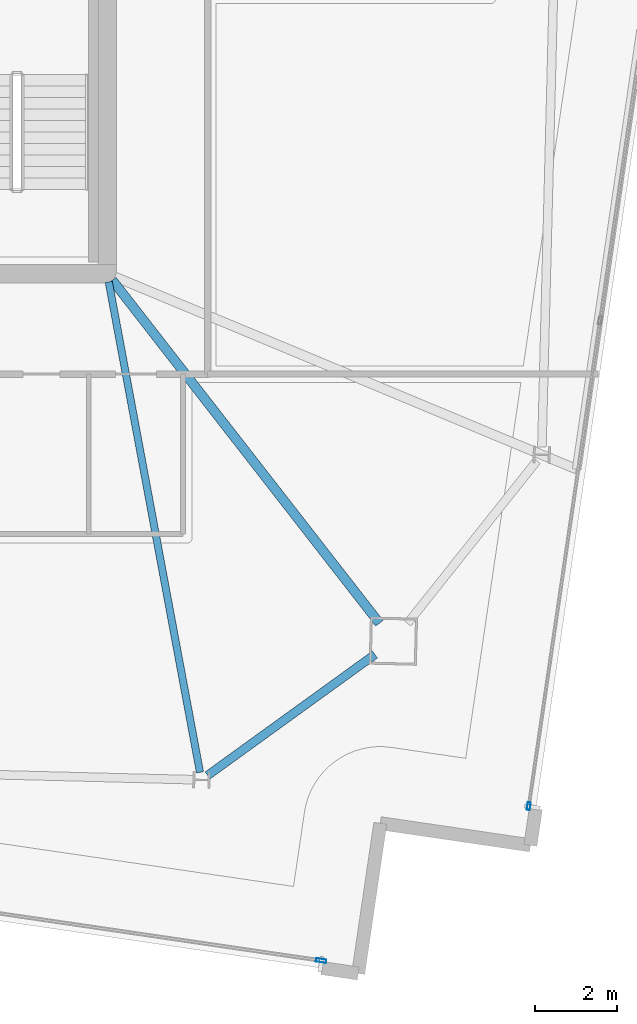
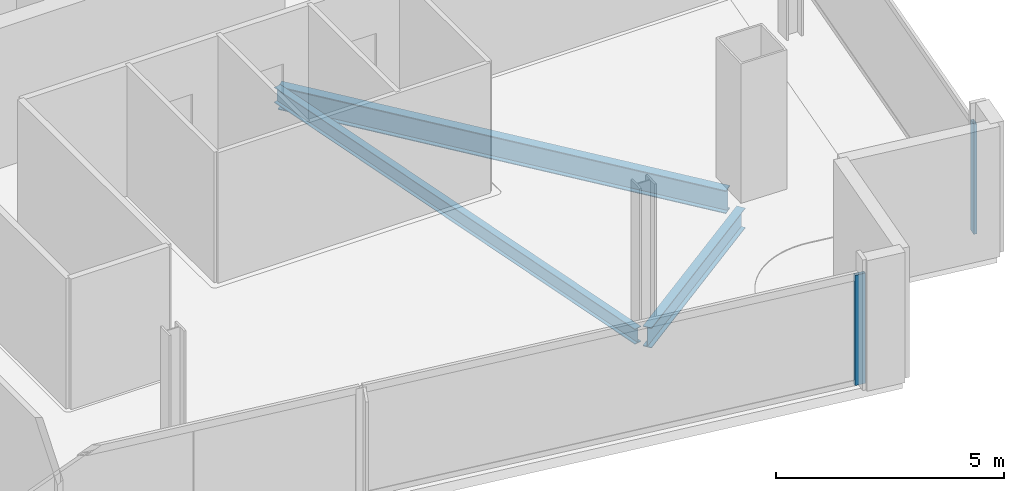
# One storey, part 7 of 22: 3 beams, 2 members, 2 elements without a shape of their own.
"""IFC4 building model written with IfcOpenShell, lengths in metres."""

import ifcopenshell
import ifcopenshell.guid

model = None  # the IFC model being written
_history = None  # IfcOwnerHistory: only IFC2X3 demands one
_inside = {}  # id of a spatial element -> (the spatial element, [elements in it])
_under = {}  # id of a project, library or spatial element -> (it, [spatial elements below it])
_declared = {}  # id of a project -> (the project, [libraries it declares])
_typed = {}  # id of a type object -> (the type object, [elements of that type])
_made_of = {}  # id of a material, layer set ... -> (it, [elements and type objects made of it])


def new_model(schema):
    """Start an empty IFC model of exactly this schema.

    Asked for "IFC4X3", IfcOpenShell would pick the latest addendum, in which some entities
    have other attributes; the version numbers below select the first issue.
    IFC2X3 requires an IfcOwnerHistory on every rooted entity: one is made here for all.
    """
    global model, _history
    if schema == "IFC4X3":
        model = ifcopenshell.file(schema_version=(4, 3, 0, 0))
    else:
        model = ifcopenshell.file(schema=schema)
    _inside.clear()
    _under.clear()
    _declared.clear()
    _typed.clear()
    _made_of.clear()
    _history = None
    if model.schema == "IFC2X3":
        org = make("IfcOrganization", Name="unknown")
        user = make(
            "IfcPersonAndOrganization",
            ThePerson=make("IfcPerson", FamilyName="unknown"),
            TheOrganization=org,
        )
        app = make(
            "IfcApplication",
            ApplicationDeveloper=org,
            Version="unknown",
            ApplicationFullName="unknown",
            ApplicationIdentifier="unknown",
        )
        _history = make(
            "IfcOwnerHistory",
            OwningUser=user,
            OwningApplication=app,
            ChangeAction="ADDED",
            CreationDate=0,
        )
    return model


def make(cls, **values):
    """One entity of the class cls with the attributes given. An attribute that is None is left unset."""
    return model.create_entity(
        cls, **{name: value for name, value in values.items() if value is not None}
    )


def rooted(cls, **values):
    """An entity with a GlobalId (a new one), such as an element, a storey or a relation."""
    return make(cls, GlobalId=ifcopenshell.guid.new(), OwnerHistory=_history, **values)


def si_unit(unit_type, name, prefix=None):
    """IfcSIUnit, for example si_unit("LENGTHUNIT", "METRE", prefix="MILLI")."""
    return make("IfcSIUnit", UnitType=unit_type, Prefix=prefix, Name=name)


def assignment(units):
    """IfcUnitAssignment: the units of a project."""
    return None if units is None else make("IfcUnitAssignment", Units=units)


def point(xyz):
    """IfcCartesianPoint."""
    return None if xyz is None else make("IfcCartesianPoint", Coordinates=xyz)


def direction(xyz):
    """IfcDirection."""
    return None if xyz is None else make("IfcDirection", DirectionRatios=xyz)


def frame(location, z_axis=None, x_axis=None):
    """IfcAxis2Placement3D, a coordinate frame: its origin and axes. An axis left out is left unset."""
    return make(
        "IfcAxis2Placement3D",
        Location=point(location),
        Axis=direction(z_axis),
        RefDirection=direction(x_axis),
    )


def frame_2d(location, x_axis=None):
    """IfcAxis2Placement2D, a coordinate frame in the plane: its origin and x axis."""
    return make(
        "IfcAxis2Placement2D", Location=point(location), RefDirection=direction(x_axis)
    )


def origin():
    """The frame at (0, 0, 0) with its axes left unset."""
    return frame((0.0, 0.0, 0.0))


def origin_2d():
    """The frame at (0, 0) in the plane with its x axis left unset."""
    return frame_2d((0.0, 0.0))


def place(relative_to, where):
    """IfcLocalPlacement: puts the frame where relative to a parent placement (None: the world)."""
    return make(
        "IfcLocalPlacement", PlacementRelTo=relative_to, RelativePlacement=where
    )


def context(
    kind, dimensions, precision=None, world=None, true_north=None, identifier=None
):
    """IfcGeometricRepresentationContext, for example the 3D "Model" context."""
    return make(
        "IfcGeometricRepresentationContext",
        ContextIdentifier=identifier,
        ContextType=kind,
        CoordinateSpaceDimension=dimensions,
        Precision=precision,
        WorldCoordinateSystem=world,
        TrueNorth=true_north,
    )


def subcontext(parent, identifier, kind, view, scale=None):
    """IfcGeometricRepresentationSubContext, for example "Body" below "Model"."""
    return make(
        "IfcGeometricRepresentationSubContext",
        ContextIdentifier=identifier,
        ContextType=kind,
        ParentContext=parent,
        TargetScale=scale,
        TargetView=view,
    )


def project(units=None, contexts=None):
    """IfcProject with its units and contexts."""
    return rooted(
        "IfcProject",
        Name="project",
        RepresentationContexts=contexts,
        UnitsInContext=assignment(units),
    )


def spatial(cls, under=None, at=None, **own):
    """A site, building, storey or space (cls), placed at a placement, below another one or the project."""
    s = rooted(cls, ObjectPlacement=at, **own)
    if under is not None:
        _under.setdefault(under.id(), (under, []))[1].append(s)
    return s


def profile(cls, at=None, kind="AREA", **sizes):
    """A parametric profile (cls). Its sizes go by their IFC names, for example OverallWidth=200.0."""
    return make(cls, ProfileType=kind, Position=at, **sizes)


def hollow_rectangle(**sizes):
    """IfcRectangleHollowProfileDef."""
    return profile("IfcRectangleHollowProfileDef", **sizes)


def i_section(**sizes):
    """IfcIShapeProfileDef."""
    return profile("IfcIShapeProfileDef", **sizes)


def extrude(swept, where, along, depth):
    """IfcExtrudedAreaSolid: the profile swept, set in the frame where, extruded along a direction by depth."""
    return make(
        "IfcExtrudedAreaSolid",
        SweptArea=swept,
        Position=where,
        ExtrudedDirection=direction(along),
        Depth=depth,
    )


def shape(context_of_items, identifier, shape_type, items):
    """IfcShapeRepresentation: the items that make up one representation, for example the "Body"."""
    return make(
        "IfcShapeRepresentation",
        ContextOfItems=context_of_items,
        RepresentationIdentifier=identifier,
        RepresentationType=shape_type,
        Items=items,
    )


def material(Name=None, Category=None):
    """IfcMaterial."""
    return make("IfcMaterial", Name=Name, Category=Category)


def material_profile(
    of_material, cross_section, Name=None, Category=None, Priority=None
):
    """IfcMaterialProfile: a cross section and its material."""
    return make(
        "IfcMaterialProfile",
        Name=Name,
        Material=of_material,
        Profile=cross_section,
        Priority=Priority,
        Category=Category,
    )


def profile_set(profiles, Name=None, composite=None):
    """IfcMaterialProfileSet."""
    return make(
        "IfcMaterialProfileSet",
        Name=Name,
        MaterialProfiles=profiles,
        CompositeProfile=composite,
    )


def made_of(thing, what):
    """Note that an element or type object is made of a material, layer set ...; save() writes the relation."""
    if what is not None:
        _made_of.setdefault(what.id(), (what, []))[1].append(thing)
    return thing


def type_object(cls, material=None, **own):
    """A type object (cls), such as IfcWallType, which elements share."""
    return made_of(rooted(cls, **own), material)


def element(
    cls,
    number,
    at=None,
    inside=None,
    cuts=None,
    type_object=None,
    material=None,
    context=None,
    identifier="Body",
    shape_type=None,
    held_by="IfcProductDefinitionShape",
    body=None,
    shapes=None,
    **own,
):
    """One element of the class cls, such as IfcWall. Its Tag is "e" and its number.

    at: its placement. inside: the storey or other place that contains it. cuts: it is an
    opening in that element (IfcRelVoidsElement). A single representation is given by context,
    identifier, shape_type and body (its items); several are given by shapes. held_by: the class
    of the entity that holds the representations. save() writes the other relations.
    """
    e = rooted(cls, Tag="e%d" % number, ObjectPlacement=at, **own)
    if body is not None:
        shapes = [shape(context, identifier, shape_type, body)]
    if shapes is not None:
        e.Representation = make(held_by, Representations=shapes)
    if inside is not None:
        _inside.setdefault(inside.id(), (inside, []))[1].append(e)
    if cuts is not None:
        rooted(
            "IfcRelVoidsElement", RelatingBuildingElement=cuts, RelatedOpeningElement=e
        )
    if type_object is not None:
        _typed.setdefault(type_object.id(), (type_object, []))[1].append(e)
    return made_of(e, material)


def aggregate(whole, parts):
    """IfcRelAggregates: a whole, such as a stair, and the parts it consists of."""
    return rooted("IfcRelAggregates", RelatingObject=whole, RelatedObjects=parts)


def save(model, path):
    """Write the relations noted so far, then the file.

    IfcRelAggregates (storeys below a building ...), IfcRelContainedInSpatialStructure (elements
    in a storey), IfcRelDefinesByType, IfcRelAssociatesMaterial and IfcRelDeclares: one each for
    every whole, place, type object, material and project.
    """
    for whole, parts in _under.values():
        aggregate(whole, parts)
    for where, things in _inside.values():
        rooted(
            "IfcRelContainedInSpatialStructure",
            RelatedElements=things,
            RelatingStructure=where,
        )
    for kind, things in _typed.values():
        rooted("IfcRelDefinesByType", RelatedObjects=things, RelatingType=kind)
    for what, things in _made_of.values():
        rooted("IfcRelAssociatesMaterial", RelatedObjects=things, RelatingMaterial=what)
    for by, libraries in _declared.values():
        rooted("IfcRelDeclares", RelatingContext=by, RelatedDefinitions=libraries)
    model.write(path)


model = new_model("IFC4")

# Units and contexts
model_context = context("Model", 3, precision=1e-05, world=origin(), true_north=direction((0.0, 1.0)))
body_context = subcontext(model_context, "Body", "Model", "MODEL_VIEW")
ifc_project = project(units=[si_unit("LENGTHUNIT", "METRE"), si_unit("AREAUNIT", "SQUARE_METRE"), si_unit("VOLUMEUNIT", "CUBIC_METRE"), si_unit("PLANEANGLEUNIT", "RADIAN"), si_unit("MASSUNIT", "GRAM", prefix="KILO")], contexts=[model_context])

# Site, building, storey
site_placement = place(None, origin())
site = spatial("IfcSite", under=ifc_project, at=site_placement, CompositionType="ELEMENT")
building_placement = place(site_placement, origin())
building = spatial("IfcBuilding", under=site, at=building_placement, Name="Haldenkirk Collegiate Tower", CompositionType="ELEMENT")
storey_placement = place(building_placement, frame((0.0, 0.0, 302.699951171875)))
storey = spatial("IfcBuildingStorey", under=building, at=storey_placement, Name="L76", CompositionType="ELEMENT", Elevation=302.699951171875)

# Beams
ifc_material_1 = material(Name="Steel ASTM A992 Grade 50", Category="steel")
ifc_material_profile_1 = material_profile(ifc_material_1, i_section(OverallWidth=0.22998046875, OverallDepth=0.616943359375, WebThickness=0.01318359375, FlangeThickness=0.022216796875, at=origin_2d()), Name="W24X94")
ifc_profile_set_1 = profile_set([ifc_material_profile_1], Name="Steel ASTM A992 Grade 50")
beam_type_1 = type_object("IfcBeamType", Name="BM-GIRDER-W24X94", PredefinedType="BEAM", material=ifc_profile_set_1)
beam_1_placement = place(storey_placement, frame((51.635009765625, 9.478271484375, -0.568359375), z_axis=(-0.614347328176, 0.789035715518, 0.0), x_axis=(-0.789035715518, -0.614347328176, 0.0)))
element("IfcBeam", 1, at=beam_1_placement, inside=storey, type_object=beam_type_1, Name="L76 primary floor girder 01", PredefinedType="BEAM", context=body_context, shape_type="SweptSolid", body=[
    extrude(i_section(OverallWidth=0.22998046875, OverallDepth=0.616943359375, WebThickness=0.01318359375, FlangeThickness=0.022216796875, at=origin_2d()), origin(), (0.0, 0.0, 1.0), 10.594970703125),
])
ifc_material_profile_2 = material_profile(ifc_material_1, i_section(OverallWidth=0.177978515625, OverallDepth=0.406005859375, WebThickness=0.0078125, FlangeThickness=0.0126953125, at=origin_2d()), Name="W16X40")
ifc_profile_set_2 = profile_set([ifc_material_profile_2], Name="Steel ASTM A992 Grade 50")
beam_type_2 = type_object("IfcBeamType", Name="BM-JOIST-W16X40", PredefinedType="JOIST", material=ifc_profile_set_2)
beam_2_placement = place(storey_placement, frame((47.262451171875, 5.84228515625, -0.462890625), z_axis=(-0.18294175887, 0.983123752567, 0.0), x_axis=(-0.983123752567, -0.18294175887, 0.0)))
element("IfcBeam", 2, at=beam_2_placement, inside=storey, type_object=beam_type_2, Name="L76 composite floor joist 16", PredefinedType="JOIST", context=body_context, shape_type="SweptSolid", body=[
    extrude(i_section(OverallWidth=0.177978515625, OverallDepth=0.406005859375, WebThickness=0.0078125, FlangeThickness=0.0126953125, at=origin_2d()), origin(), (0.0, 0.0, 1.0), 12.16162109375),
])
ifc_material_profile_3 = material_profile(ifc_material_1, i_section(OverallWidth=0.2099609375, OverallDepth=0.537109375, WebThickness=0.010986328125, FlangeThickness=0.017333984375, at=origin_2d()), Name="W21X68")
ifc_profile_set_3 = profile_set([ifc_material_profile_3], Name="Steel ASTM A992 Grade 50")
beam_type_3 = type_object("IfcBeamType", Name="BM-SPANDREL-W21X68", PredefinedType="SPANDREL", material=ifc_profile_set_3)
beam_3_placement = place(storey_placement, frame((47.44921875, 5.767578125, -0.528564453125), z_axis=(0.810388642646, 0.585892693136, 0.0), x_axis=(-0.585892693136, 0.810388642646, 0.0)))
element("IfcBeam", 3, at=beam_3_placement, inside=storey, type_object=beam_type_3, Name="L76 perimeter spandrel beam 16", PredefinedType="SPANDREL", context=body_context, shape_type="SweptSolid", body=[
    extrude(i_section(OverallWidth=0.2099609375, OverallDepth=0.537109375, WebThickness=0.010986328125, FlangeThickness=0.017333984375, at=origin_2d()), origin(), (0.0, 0.0, 1.0), 5.03076171875),
])

# Curtain wall, member
ifc_material_2 = material(Name="Anodised architectural bronze aluminium", Category="aluminium")
curtain_wall_type_1 = type_object("IfcCurtainWallType", Name="CW-SYS2-CONCAVE", PredefinedType="USERDEFINED", material=ifc_material_2)
curtain_wall_1_placement = place(storey_placement, origin())
curtain_wall_1 = element("IfcCurtainWall", 4, at=curtain_wall_1_placement, inside=storey, type_object=curtain_wall_type_1, Name="L76 South concave recessed bronze-anodised curtain wall", ObjectType="UNITISED CURTAIN WALL", PredefinedType="USERDEFINED")
ifc_material_profile_4 = material_profile(ifc_material_2, hollow_rectangle(XDim=0.074951171875, YDim=0.18994140625, WallThickness=0.0048828125, at=origin_2d()), Name="CW-MUL-02")
ifc_profile_set_4 = profile_set([ifc_material_profile_4], Name="Anodised architectural bronze aluminium")
member_type_1 = type_object("IfcMemberType", Name="CW-MUL-02", PredefinedType="MULLION", material=ifc_profile_set_4)
member_1_placement = place(storey_placement, frame((55.277099609375, 5.015625, 0.0), z_axis=(0.0, 0.0, 1.0), x_axis=(0.989399423446, -0.145219767539, 0.0)))
member_1 = element("IfcMember", 5, at=member_1_placement, type_object=member_type_1, Name="CW-02 mullion 4", PredefinedType="MULLION", context=body_context, shape_type="SweptSolid", body=[
    extrude(hollow_rectangle(XDim=0.074951171875, YDim=0.18994140625, WallThickness=0.0048828125, at=origin_2d()), origin(), (0.0, 0.0, 1.0), 2.947998046875),
])
aggregate(curtain_wall_1, [member_1])

curtain_wall_type_2 = type_object("IfcCurtainWallType", Name="CW-SYS1B-CONVEX-HI", PredefinedType="USERDEFINED", material=ifc_material_2)
curtain_wall_2_placement = place(storey_placement, origin())
curtain_wall_2 = element("IfcCurtainWall", 6, at=curtain_wall_2_placement, inside=storey, type_object=curtain_wall_type_2, Name="L76 Upper tower high-wind convex bronze unitised curtain wall", ObjectType="UNITISED CURTAIN WALL", PredefinedType="USERDEFINED")
ifc_material_profile_5 = material_profile(ifc_material_2, hollow_rectangle(XDim=0.0849609375, YDim=0.25, WallThickness=0.0048828125, at=origin_2d()), Name="CW-MUL-1B")
ifc_profile_set_5 = profile_set([ifc_material_profile_5], Name="Anodised architectural bronze aluminium")
member_type_2 = type_object("IfcMemberType", Name="CW-MUL-1B", PredefinedType="MULLION", material=ifc_profile_set_5)
member_2_placement = place(storey_placement, frame((50.21435546875, 1.25341796875, 0.0), z_axis=(0.0, 0.0, 1.0), x_axis=(-0.145220487627, -0.989399317755, 0.0)))
member_2 = element("IfcMember", 7, at=member_2_placement, type_object=member_type_2, Name="CW-1B mullion 1", PredefinedType="MULLION", context=body_context, shape_type="SweptSolid", body=[
    extrude(hollow_rectangle(XDim=0.0849609375, YDim=0.25, WallThickness=0.0048828125, at=origin_2d()), origin(), (0.0, 0.0, 1.0), 2.947998046875),
])
aggregate(curtain_wall_2, [member_2])

save(model, "model.ifc")
